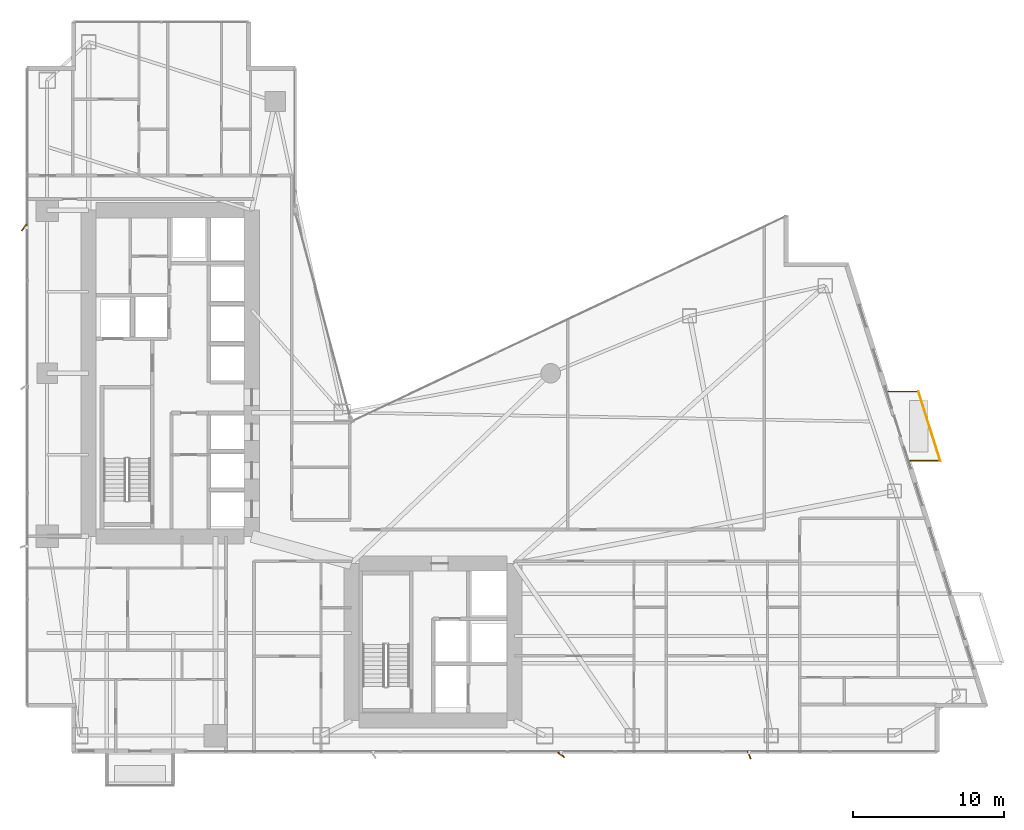
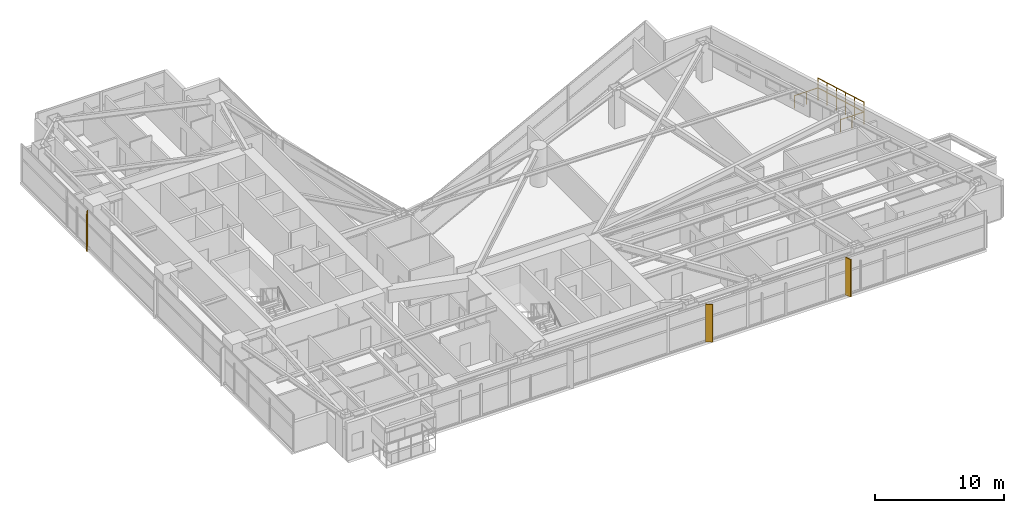
# One storey, part 29 of 29: 3 shading devices, 2 railings.
"""IFC4 building model written with IfcOpenShell, lengths in metres."""

from ifc_helpers import new_model, si_unit, direction, frame, origin, origin_2d, place, context, subcontext, project, spatial, rectangle, circle, extrude, material, type_object, element, save


model = new_model("IFC4")

# Units and contexts
model_context = context("Model", 3, precision=1e-05, world=origin(), true_north=direction((0.0, 1.0)))
body_context = subcontext(model_context, "Body", "Model", "MODEL_VIEW")
ifc_project = project(units=[si_unit("LENGTHUNIT", "METRE"), si_unit("AREAUNIT", "SQUARE_METRE"), si_unit("VOLUMEUNIT", "CUBIC_METRE"), si_unit("PLANEANGLEUNIT", "RADIAN"), si_unit("MASSUNIT", "GRAM", prefix="KILO")], contexts=[model_context])

# Site, building, storey
site_placement = place(None, origin())
site = spatial("IfcSite", under=ifc_project, at=site_placement, CompositionType="ELEMENT")
building_placement = place(site_placement, origin())
building = spatial("IfcBuilding", under=site, at=building_placement, Name="Calvorn Quay Hotel", CompositionType="ELEMENT")
storey_placement = place(building_placement, frame((0.0, 0.0, 69.800048828125)))
storey = spatial("IfcBuildingStorey", under=building, at=storey_placement, Name="L16", CompositionType="ELEMENT", Elevation=69.800048828125)

# Railings
ifc_material_1 = material(Name="Pale Anodised Aluminium and Laminated Glass", Category="aluminium")
railing_type = type_object("IfcRailingType", Name="RLG-BALUSTRADE-1200", PredefinedType="BALUSTRADE", material=ifc_material_1)
railing_1_placement = place(storey_placement, frame((58.506103515625, 21.800048828125, 0.0)))
element("IfcRailing", 1, at=railing_1_placement, inside=storey, type_object=railing_type, Name="Tree Balcony Perimeter Balustrade L16-BALC-E", PredefinedType="BALUSTRADE", context=body_context, shape_type="SweptSolid", body=[
    extrude(circle(Radius=0.02392578125, at=origin_2d()), frame((0.0, 0.0, 1.17578125), z_axis=(1.0, 0.0, 0.0), x_axis=(0.0, 1.0, 0.0)), (0.0, 0.0, 1.0), 2.099853515625),
    extrude(circle(Radius=0.02392578125, at=origin_2d()), frame((2.099853515625, 0.0, 1.17578125), z_axis=(-0.300450487966, 0.953797412599, 0.0), x_axis=(-0.953797412599, -0.300450487966, 0.0)), (0.0, 0.0, 1.0), 4.82275390625),
    extrude(circle(Radius=0.02392578125, at=origin_2d()), frame((0.65087890625, 4.599853515625, 1.17578125), z_axis=(-1.0, 0.0, 0.0), x_axis=(0.0, -1.0, 0.0)), (0.0, 0.0, 1.0), 2.10009765625),
    extrude(circle(Radius=0.02099609375, at=origin_2d()), origin(), (0.0, 0.0, 1.0), 1.15185546875),
    extrude(circle(Radius=0.02099609375, at=origin_2d()), frame((1.0498046875, 0.0, 0.0)), (0.0, 0.0, 1.0), 1.15185546875),
    extrude(circle(Radius=0.02099609375, at=origin_2d()), frame((2.099853515625, 0.0, 0.0)), (0.0, 0.0, 1.0), 1.15185546875),
    extrude(circle(Radius=0.02099609375, at=origin_2d()), frame((1.81005859375, 0.919921875, 0.0)), (0.0, 0.0, 1.0), 1.15185546875),
    extrude(circle(Radius=0.02099609375, at=origin_2d()), frame((1.520263671875, 1.83984375, 0.0)), (0.0, 0.0, 1.0), 1.15185546875),
    extrude(circle(Radius=0.02099609375, at=origin_2d()), frame((1.23046875, 2.760009765625, 0.0)), (0.0, 0.0, 1.0), 1.15185546875),
    extrude(circle(Radius=0.02099609375, at=origin_2d()), frame((0.940673828125, 3.679931640625, 0.0)), (0.0, 0.0, 1.0), 1.15185546875),
    extrude(circle(Radius=0.02099609375, at=origin_2d()), frame((0.65087890625, 4.599853515625, 0.0)), (0.0, 0.0, 1.0), 1.15185546875),
    extrude(circle(Radius=0.02099609375, at=origin_2d()), frame((-0.399169921875, 4.599853515625, 0.0)), (0.0, 0.0, 1.0), 1.15185546875),
    extrude(circle(Radius=0.02099609375, at=origin_2d()), frame((-1.44921875, 4.599853515625, 0.0)), (0.0, 0.0, 1.0), 1.15185546875),
])
railing_2_placement = place(storey_placement, frame((60.60595703125, 21.800048828125, 0.89990234375)))
element("IfcRailing", 2, at=railing_2_placement, inside=storey, type_object=railing_type, Name="Planter Kerb High Safety Screen L16-BALC-E", PredefinedType="BALUSTRADE", context=body_context, shape_type="SweptSolid", body=[
    extrude(circle(Radius=0.02392578125, at=origin_2d()), frame((0.0, 0.0, 1.19580078125), z_axis=(-0.300450487966, 0.953797412599, 0.0), x_axis=(-0.953797412599, -0.300450487966, 0.0)), (0.0, 0.0, 1.0), 4.82275390625),
    extrude(circle(Radius=0.02099609375, at=origin_2d()), origin(), (0.0, 0.0, 1.0), 1.171875),
    extrude(circle(Radius=0.02099609375, at=origin_2d()), frame((-0.289794921875, 0.919921875, 0.0)), (0.0, 0.0, 1.0), 1.171875),
    extrude(circle(Radius=0.02099609375, at=origin_2d()), frame((-0.57958984375, 1.83984375, 0.0)), (0.0, 0.0, 1.0), 1.171875),
    extrude(circle(Radius=0.02099609375, at=origin_2d()), frame((-0.869384765625, 2.760009765625, 0.0)), (0.0, 0.0, 1.0), 1.171875),
    extrude(circle(Radius=0.02099609375, at=origin_2d()), frame((-1.1591796875, 3.679931640625, 0.0)), (0.0, 0.0, 1.0), 1.171875),
    extrude(circle(Radius=0.02099609375, at=origin_2d()), frame((-1.448974609375, 4.599853515625, 0.0)), (0.0, 0.0, 1.0), 1.171875),
])

# Shading devices
ifc_material_2 = material(Name="Champagne Bronze Anodised Aluminium 6063-T6", Category="aluminium")
shading_device_type_1 = type_object("IfcShadingDeviceType", Name="SHD-FIN-A1", PredefinedType="USERDEFINED", material=ifc_material_2)
shading_device_placement = place(storey_placement, frame((47.949951171875, 2.320068359375, 0.0), z_axis=(0.0, 0.0, 1.0), x_axis=(-0.374606593416, 0.927183854567, 0.0)))
element("IfcShadingDevice", 3, at=shading_device_placement, inside=storey, type_object=shading_device_type_1, Name="Diagonal Sun-Shading Fin L16-S03", ObjectType="FIN", PredefinedType="USERDEFINED", context=body_context, shape_type="SweptSolid", body=[
    extrude(rectangle(XDim=0.550048828125, YDim=0.080078125, at=origin_2d()), origin(), (0.0, 0.0, 1.0), 3.56005859375),
])
ifc_material_3 = material(Name="Champagne Bronze Anodised Aluminium 6063-T6", Category="aluminium")
shading_device_type_2 = type_object("IfcShadingDeviceType", Name="SHD-FIN-A3", PredefinedType="USERDEFINED", material=ifc_material_3)
for number, where, z_axis, x_axis, name in (
    (4, (-0.080078125, 37.25, 0.0), (0.0, 0.0, 1.0), (0.587785252292, 0.809016994375, 0.0), "Diagonal Sun-Shading Fin L16-W03"),
    (5, (35.5, 2.320068359375, 0.0), (0.0, 0.0, 1.0), (-0.809016994375, 0.587785252292, 0.0), "Diagonal Sun-Shading Fin L16-S02"),
):
    element("IfcShadingDevice", number, at=place(storey_placement, frame(where, z_axis=z_axis, x_axis=x_axis)), inside=storey, type_object=shading_device_type_2, Name=name, ObjectType="FIN", PredefinedType="USERDEFINED", context=body_context, shape_type="SweptSolid", body=[
        extrude(rectangle(XDim=0.550048828125, YDim=0.080078125, at=origin_2d()), origin(), (0.0, 0.0, 1.0), 3.56005859375),
    ])

save(model, "model.ifc")
